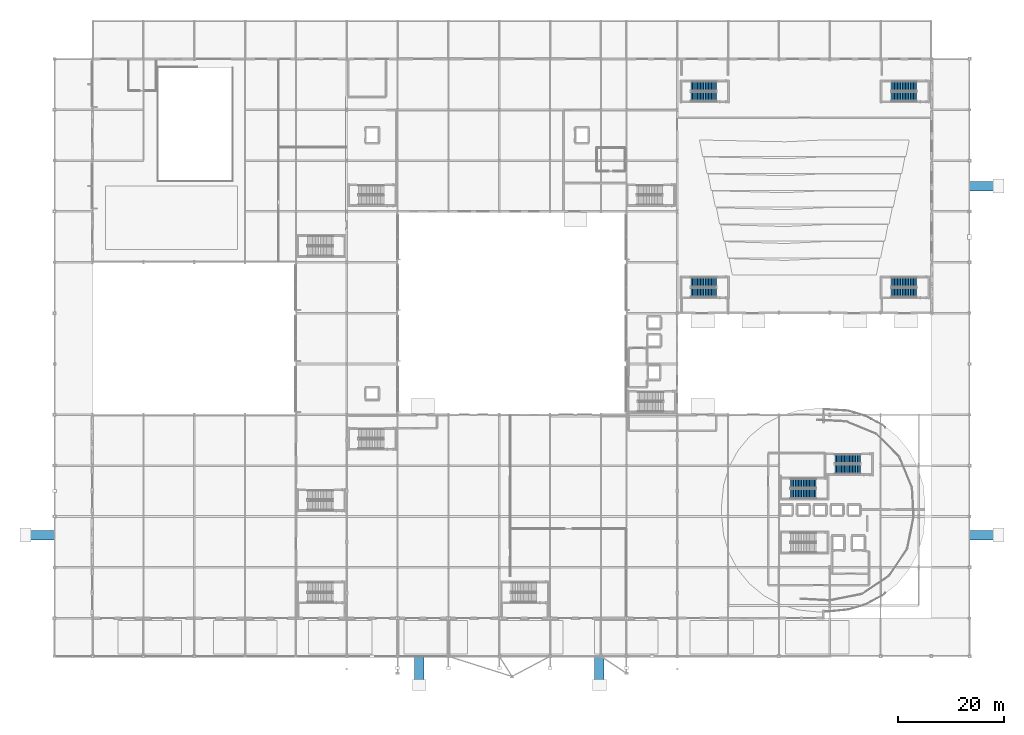
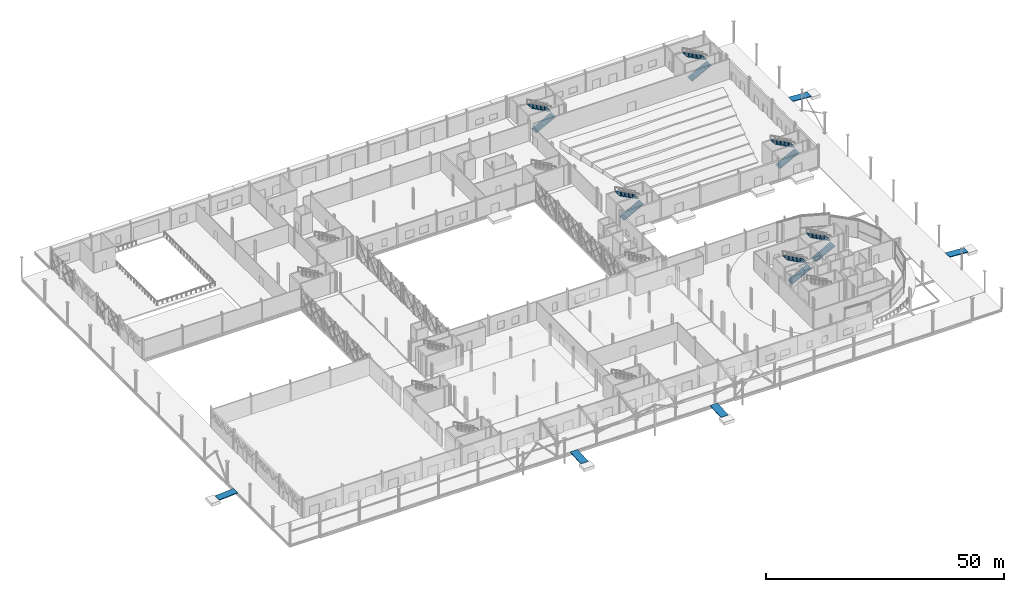
# One storey, part 62 of 84: 12 stair flights, 5 ramp flights, 11 elements without a shape of their own.
"""IFC4 building model written with IfcOpenShell, lengths in metres."""

import ifcopenshell
import ifcopenshell.guid

model = None  # the IFC model being written
_history = None  # IfcOwnerHistory: only IFC2X3 demands one
_inside = {}  # id of a spatial element -> (the spatial element, [elements in it])
_under = {}  # id of a project, library or spatial element -> (it, [spatial elements below it])
_declared = {}  # id of a project -> (the project, [libraries it declares])
_typed = {}  # id of a type object -> (the type object, [elements of that type])
_made_of = {}  # id of a material, layer set ... -> (it, [elements and type objects made of it])


def new_model(schema):
    """Start an empty IFC model of exactly this schema.

    Asked for "IFC4X3", IfcOpenShell would pick the latest addendum, in which some entities
    have other attributes; the version numbers below select the first issue.
    IFC2X3 requires an IfcOwnerHistory on every rooted entity: one is made here for all.
    """
    global model, _history
    if schema == "IFC4X3":
        model = ifcopenshell.file(schema_version=(4, 3, 0, 0))
    else:
        model = ifcopenshell.file(schema=schema)
    _inside.clear()
    _under.clear()
    _declared.clear()
    _typed.clear()
    _made_of.clear()
    _history = None
    if model.schema == "IFC2X3":
        org = make("IfcOrganization", Name="unknown")
        user = make(
            "IfcPersonAndOrganization",
            ThePerson=make("IfcPerson", FamilyName="unknown"),
            TheOrganization=org,
        )
        app = make(
            "IfcApplication",
            ApplicationDeveloper=org,
            Version="unknown",
            ApplicationFullName="unknown",
            ApplicationIdentifier="unknown",
        )
        _history = make(
            "IfcOwnerHistory",
            OwningUser=user,
            OwningApplication=app,
            ChangeAction="ADDED",
            CreationDate=0,
        )
    return model


def make(cls, **values):
    """One entity of the class cls with the attributes given. An attribute that is None is left unset."""
    return model.create_entity(
        cls, **{name: value for name, value in values.items() if value is not None}
    )


def rooted(cls, **values):
    """An entity with a GlobalId (a new one), such as an element, a storey or a relation."""
    return make(cls, GlobalId=ifcopenshell.guid.new(), OwnerHistory=_history, **values)


def si_unit(unit_type, name, prefix=None):
    """IfcSIUnit, for example si_unit("LENGTHUNIT", "METRE", prefix="MILLI")."""
    return make("IfcSIUnit", UnitType=unit_type, Prefix=prefix, Name=name)


def assignment(units):
    """IfcUnitAssignment: the units of a project."""
    return None if units is None else make("IfcUnitAssignment", Units=units)


def point(xyz):
    """IfcCartesianPoint."""
    return None if xyz is None else make("IfcCartesianPoint", Coordinates=xyz)


def direction(xyz):
    """IfcDirection."""
    return None if xyz is None else make("IfcDirection", DirectionRatios=xyz)


def frame(location, z_axis=None, x_axis=None):
    """IfcAxis2Placement3D, a coordinate frame: its origin and axes. An axis left out is left unset."""
    return make(
        "IfcAxis2Placement3D",
        Location=point(location),
        Axis=direction(z_axis),
        RefDirection=direction(x_axis),
    )


def origin():
    """The frame at (0, 0, 0) with its axes left unset."""
    return frame((0.0, 0.0, 0.0))


def place(relative_to, where):
    """IfcLocalPlacement: puts the frame where relative to a parent placement (None: the world)."""
    return make(
        "IfcLocalPlacement", PlacementRelTo=relative_to, RelativePlacement=where
    )


def context(
    kind, dimensions, precision=None, world=None, true_north=None, identifier=None
):
    """IfcGeometricRepresentationContext, for example the 3D "Model" context."""
    return make(
        "IfcGeometricRepresentationContext",
        ContextIdentifier=identifier,
        ContextType=kind,
        CoordinateSpaceDimension=dimensions,
        Precision=precision,
        WorldCoordinateSystem=world,
        TrueNorth=true_north,
    )


def subcontext(parent, identifier, kind, view, scale=None):
    """IfcGeometricRepresentationSubContext, for example "Body" below "Model"."""
    return make(
        "IfcGeometricRepresentationSubContext",
        ContextIdentifier=identifier,
        ContextType=kind,
        ParentContext=parent,
        TargetScale=scale,
        TargetView=view,
    )


def project(units=None, contexts=None):
    """IfcProject with its units and contexts."""
    return rooted(
        "IfcProject",
        Name="project",
        RepresentationContexts=contexts,
        UnitsInContext=assignment(units),
    )


def spatial(cls, under=None, at=None, **own):
    """A site, building, storey or space (cls), placed at a placement, below another one or the project."""
    s = rooted(cls, ObjectPlacement=at, **own)
    if under is not None:
        _under.setdefault(under.id(), (under, []))[1].append(s)
    return s


def polyline(points):
    """IfcPolyline through the points."""
    return make("IfcPolyline", Points=[point(p) for p in points])


def outline(outer, holes=None, kind="AREA"):
    """IfcArbitraryClosedProfileDef: a profile drawn as a closed curve; with holes, ...WithVoids."""
    if holes is None:
        return make("IfcArbitraryClosedProfileDef", ProfileType=kind, OuterCurve=outer)
    return make(
        "IfcArbitraryProfileDefWithVoids",
        ProfileType=kind,
        OuterCurve=outer,
        InnerCurves=holes,
    )


def extrude(swept, where, along, depth):
    """IfcExtrudedAreaSolid: the profile swept, set in the frame where, extruded along a direction by depth."""
    return make(
        "IfcExtrudedAreaSolid",
        SweptArea=swept,
        Position=where,
        ExtrudedDirection=direction(along),
        Depth=depth,
    )


def shape(context_of_items, identifier, shape_type, items):
    """IfcShapeRepresentation: the items that make up one representation, for example the "Body"."""
    return make(
        "IfcShapeRepresentation",
        ContextOfItems=context_of_items,
        RepresentationIdentifier=identifier,
        RepresentationType=shape_type,
        Items=items,
    )


def material(Name=None, Category=None):
    """IfcMaterial."""
    return make("IfcMaterial", Name=Name, Category=Category)


def layer(
    of_material, thickness, ventilated=None, Name=None, Category=None, Priority=None
):
    """IfcMaterialLayer: one layer of a wall or slab, of a material (None: an air gap)."""
    return make(
        "IfcMaterialLayer",
        Material=of_material,
        LayerThickness=thickness,
        IsVentilated=ventilated,
        Name=Name,
        Category=Category,
        Priority=Priority,
    )


def layer_set(layers, Name=None):
    """IfcMaterialLayerSet."""
    return make("IfcMaterialLayerSet", MaterialLayers=layers, LayerSetName=Name)


def made_of(thing, what):
    """Note that an element or type object is made of a material, layer set ...; save() writes the relation."""
    if what is not None:
        _made_of.setdefault(what.id(), (what, []))[1].append(thing)
    return thing


def type_object(cls, material=None, **own):
    """A type object (cls), such as IfcWallType, which elements share."""
    return made_of(rooted(cls, **own), material)


def element(
    cls,
    number,
    at=None,
    inside=None,
    cuts=None,
    type_object=None,
    material=None,
    context=None,
    identifier="Body",
    shape_type=None,
    held_by="IfcProductDefinitionShape",
    body=None,
    shapes=None,
    **own,
):
    """One element of the class cls, such as IfcWall. Its Tag is "e" and its number.

    at: its placement. inside: the storey or other place that contains it. cuts: it is an
    opening in that element (IfcRelVoidsElement). A single representation is given by context,
    identifier, shape_type and body (its items); several are given by shapes. held_by: the class
    of the entity that holds the representations. save() writes the other relations.
    """
    e = rooted(cls, Tag="e%d" % number, ObjectPlacement=at, **own)
    if body is not None:
        shapes = [shape(context, identifier, shape_type, body)]
    if shapes is not None:
        e.Representation = make(held_by, Representations=shapes)
    if inside is not None:
        _inside.setdefault(inside.id(), (inside, []))[1].append(e)
    if cuts is not None:
        rooted(
            "IfcRelVoidsElement", RelatingBuildingElement=cuts, RelatedOpeningElement=e
        )
    if type_object is not None:
        _typed.setdefault(type_object.id(), (type_object, []))[1].append(e)
    return made_of(e, material)


def aggregate(whole, parts):
    """IfcRelAggregates: a whole, such as a stair, and the parts it consists of."""
    return rooted("IfcRelAggregates", RelatingObject=whole, RelatedObjects=parts)


def save(model, path):
    """Write the relations noted so far, then the file.

    IfcRelAggregates (storeys below a building ...), IfcRelContainedInSpatialStructure (elements
    in a storey), IfcRelDefinesByType, IfcRelAssociatesMaterial and IfcRelDeclares: one each for
    every whole, place, type object, material and project.
    """
    for whole, parts in _under.values():
        aggregate(whole, parts)
    for where, things in _inside.values():
        rooted(
            "IfcRelContainedInSpatialStructure",
            RelatedElements=things,
            RelatingStructure=where,
        )
    for kind, things in _typed.values():
        rooted("IfcRelDefinesByType", RelatedObjects=things, RelatingType=kind)
    for what, things in _made_of.values():
        rooted("IfcRelAssociatesMaterial", RelatedObjects=things, RelatingMaterial=what)
    for by, libraries in _declared.values():
        rooted("IfcRelDeclares", RelatingContext=by, RelatedDefinitions=libraries)
    model.write(path)


model = new_model("IFC4")

# Units and contexts
model_context = context("Model", 3, precision=1e-05, world=origin(), true_north=direction((0.0, 1.0)))
body_context = subcontext(model_context, "Body", "Model", "MODEL_VIEW")
ifc_project = project(units=[si_unit("LENGTHUNIT", "METRE"), si_unit("AREAUNIT", "SQUARE_METRE"), si_unit("VOLUMEUNIT", "CUBIC_METRE"), si_unit("PLANEANGLEUNIT", "RADIAN"), si_unit("MASSUNIT", "GRAM", prefix="KILO")], contexts=[model_context])

# Site, building, storey
site_placement = place(None, origin())
site = spatial("IfcSite", under=ifc_project, at=site_placement, CompositionType="ELEMENT")
building_placement = place(site_placement, origin())
building = spatial("IfcBuilding", under=site, at=building_placement, Name="Zevrakil Square Congress Hotel", CompositionType="ELEMENT")
storey_placement = place(building_placement, origin())
storey = spatial("IfcBuildingStorey", under=building, at=storey_placement, Name="L01", CompositionType="ELEMENT", Elevation=0.0)

# Stair, stair flights
ifc_material_1 = material(Name="Concrete C35/45", Category="concrete")
stair_type = type_object("IfcStairType", Name="STR-DOGLEG-180", PredefinedType="HALF_TURN_STAIR", material=ifc_material_1)
stair_1_placement = place(storey_placement, origin())
stair_1 = element("IfcStair", 1, at=stair_1_placement, inside=storey, type_object=stair_type, Name="L01 Protected exit stair ST02", PredefinedType="HALF_TURN_STAIR")
ifc_material_2 = material(Name="Concrete C35/45", Category="concrete")
ifc_layer_1 = layer(ifc_material_2, 0.159912109375)
ifc_layer_set_1 = layer_set([ifc_layer_1], Name="Concrete C35/45")
stair_flight_type = type_object("IfcStairFlightType", Name="SFL-STRAIGHT-180", PredefinedType="STRAIGHT", material=ifc_layer_set_1)
stair_flight_1_placement = place(storey_placement, frame((139.0, 30.699951171875, 0.0), z_axis=(0.0, 0.0, 1.0), x_axis=(1.0, 0.0, 0.0)))
stair_flight_1 = element("IfcStairFlight", 2, at=stair_flight_1_placement, type_object=stair_flight_type, Name="ST02 flight 1", NumberOfRisers=17, NumberOfTreads=16, PredefinedType="STRAIGHT", RiserHeight=0.158823529, TreadLength=0.3, context=body_context, shape_type="SweptSolid", body=[
    extrude(outline(polyline([(0.0, 0.0), (0.0, 0.158935546875), (0.300048828125, 0.158935546875), (0.300048828125, 0.317626953125), (0.60009765625, 0.317626953125), (0.60009765625, 0.4765625), (0.89990234375, 0.4765625), (0.89990234375, 0.63525390625), (1.199951171875, 0.63525390625), (1.199951171875, 0.794189453125), (1.5, 0.794189453125), (1.5, 0.952880859375), (1.800048828125, 0.952880859375), (1.800048828125, 1.11181640625), (2.10009765625, 1.11181640625), (2.10009765625, 1.2705078125), (2.39990234375, 1.2705078125), (2.39990234375, 1.429443359375), (2.699951171875, 1.429443359375), (2.699951171875, 1.588134765625), (3.0, 1.588134765625), (3.0, 1.7470703125), (3.300048828125, 1.7470703125), (3.300048828125, 1.90576171875), (3.60009765625, 1.90576171875), (3.60009765625, 2.064697265625), (3.89990234375, 2.064697265625), (3.89990234375, 2.2236328125), (4.199951171875, 2.2236328125), (4.199951171875, 2.38232421875), (4.5, 2.38232421875), (4.5, 2.541259765625), (4.800048828125, 2.541259765625), (4.800048828125, 2.699951171875), (4.800048828125, 2.37158203125), (0.3203125, 0.0), (0.0, 0.0)])), frame((0.0, 0.89990234375, 0.0), z_axis=(0.0, -1.0, 0.0), x_axis=(1.0, 0.0, 0.0)), (0.0, 0.0, 1.0), 1.800048828125),
])
stair_flight_2_placement = place(storey_placement, frame((143.800048828125, 32.64990234375, 2.699951171875), z_axis=(0.0, 0.0, 1.0), x_axis=(-1.0, 0.0, 0.0)))
stair_flight_2 = element("IfcStairFlight", 3, at=stair_flight_2_placement, type_object=stair_flight_type, Name="ST02 flight 2", NumberOfRisers=17, NumberOfTreads=16, PredefinedType="STRAIGHT", RiserHeight=0.158823529, TreadLength=0.3, context=body_context, shape_type="SweptSolid", body=[
    extrude(outline(polyline([(0.0, 0.0), (0.0, 0.158935546875), (0.300048828125, 0.158935546875), (0.300048828125, 0.317626953125), (0.60009765625, 0.317626953125), (0.60009765625, 0.4765625), (0.89990234375, 0.4765625), (0.89990234375, 0.63525390625), (1.199951171875, 0.63525390625), (1.199951171875, 0.794189453125), (1.5, 0.794189453125), (1.5, 0.952880859375), (1.800048828125, 0.952880859375), (1.800048828125, 1.11181640625), (2.10009765625, 1.11181640625), (2.10009765625, 1.2705078125), (2.39990234375, 1.2705078125), (2.39990234375, 1.429443359375), (2.699951171875, 1.429443359375), (2.699951171875, 1.588134765625), (3.0, 1.588134765625), (3.0, 1.7470703125), (3.300048828125, 1.7470703125), (3.300048828125, 1.90576171875), (3.60009765625, 1.90576171875), (3.60009765625, 2.064697265625), (3.89990234375, 2.064697265625), (3.89990234375, 2.2236328125), (4.199951171875, 2.2236328125), (4.199951171875, 2.38232421875), (4.5, 2.38232421875), (4.5, 2.541259765625), (4.800048828125, 2.541259765625), (4.800048828125, 2.699951171875), (4.800048828125, 2.37158203125), (0.3203125, 0.0), (0.0, 0.0)])), frame((0.0, 0.89990234375, 0.0), z_axis=(0.0, -1.0, 0.0), x_axis=(1.0, 0.0, 0.0)), (0.0, 0.0, 1.0), 1.800048828125),
])
aggregate(stair_1, [stair_flight_1, stair_flight_2])

stair_2_placement = place(storey_placement, origin())
stair_2 = element("IfcStair", 4, at=stair_2_placement, inside=storey, type_object=stair_type, Name="L01 Protected exit stair ST03", PredefinedType="HALF_TURN_STAIR")
stair_flight_3_placement = place(storey_placement, frame((147.39990234375, 35.300048828125, 0.0), z_axis=(0.0, 0.0, 1.0), x_axis=(1.0, 0.0, 0.0)))
stair_flight_3 = element("IfcStairFlight", 5, at=stair_flight_3_placement, type_object=stair_flight_type, Name="ST03 flight 1", NumberOfRisers=17, NumberOfTreads=16, PredefinedType="STRAIGHT", RiserHeight=0.158823529, TreadLength=0.3, context=body_context, shape_type="SweptSolid", body=[
    extrude(outline(polyline([(0.0, 0.0), (0.0, 0.158935546875), (0.300048828125, 0.158935546875), (0.300048828125, 0.317626953125), (0.60009765625, 0.317626953125), (0.60009765625, 0.4765625), (0.89990234375, 0.4765625), (0.89990234375, 0.63525390625), (1.199951171875, 0.63525390625), (1.199951171875, 0.794189453125), (1.5, 0.794189453125), (1.5, 0.952880859375), (1.800048828125, 0.952880859375), (1.800048828125, 1.11181640625), (2.10009765625, 1.11181640625), (2.10009765625, 1.2705078125), (2.39990234375, 1.2705078125), (2.39990234375, 1.429443359375), (2.699951171875, 1.429443359375), (2.699951171875, 1.588134765625), (3.0, 1.588134765625), (3.0, 1.7470703125), (3.300048828125, 1.7470703125), (3.300048828125, 1.90576171875), (3.60009765625, 1.90576171875), (3.60009765625, 2.064697265625), (3.89990234375, 2.064697265625), (3.89990234375, 2.2236328125), (4.199951171875, 2.2236328125), (4.199951171875, 2.38232421875), (4.5, 2.38232421875), (4.5, 2.541259765625), (4.800048828125, 2.541259765625), (4.800048828125, 2.699951171875), (4.800048828125, 2.37158203125), (0.3203125, 0.0), (0.0, 0.0)])), frame((0.0, 0.89990234375, 0.0), z_axis=(0.0, -1.0, 0.0), x_axis=(1.0, 0.0, 0.0)), (0.0, 0.0, 1.0), 1.800048828125),
])
stair_flight_4_placement = place(storey_placement, frame((152.199951171875, 37.25, 2.699951171875), z_axis=(0.0, 0.0, 1.0), x_axis=(-1.0, 0.0, 0.0)))
stair_flight_4 = element("IfcStairFlight", 6, at=stair_flight_4_placement, type_object=stair_flight_type, Name="ST03 flight 2", NumberOfRisers=17, NumberOfTreads=16, PredefinedType="STRAIGHT", RiserHeight=0.158823529, TreadLength=0.3, context=body_context, shape_type="SweptSolid", body=[
    extrude(outline(polyline([(0.0, 0.0), (0.0, 0.158935546875), (0.300048828125, 0.158935546875), (0.300048828125, 0.317626953125), (0.60009765625, 0.317626953125), (0.60009765625, 0.4765625), (0.89990234375, 0.4765625), (0.89990234375, 0.63525390625), (1.199951171875, 0.63525390625), (1.199951171875, 0.794189453125), (1.5, 0.794189453125), (1.5, 0.952880859375), (1.800048828125, 0.952880859375), (1.800048828125, 1.11181640625), (2.10009765625, 1.11181640625), (2.10009765625, 1.2705078125), (2.39990234375, 1.2705078125), (2.39990234375, 1.429443359375), (2.699951171875, 1.429443359375), (2.699951171875, 1.588134765625), (3.0, 1.588134765625), (3.0, 1.7470703125), (3.300048828125, 1.7470703125), (3.300048828125, 1.90576171875), (3.60009765625, 1.90576171875), (3.60009765625, 2.064697265625), (3.89990234375, 2.064697265625), (3.89990234375, 2.2236328125), (4.199951171875, 2.2236328125), (4.199951171875, 2.38232421875), (4.5, 2.38232421875), (4.5, 2.541259765625), (4.800048828125, 2.541259765625), (4.800048828125, 2.699951171875), (4.800048828125, 2.37158203125), (0.3203125, 0.0), (0.0, 0.0)])), frame((0.0, 0.89990234375, 0.0), z_axis=(0.0, -1.0, 0.0), x_axis=(1.0, 0.0, 0.0)), (0.0, 0.0, 1.0), 1.800048828125),
])
aggregate(stair_2, [stair_flight_3, stair_flight_4])

stair_3_placement = place(storey_placement, origin())
stair_3 = element("IfcStair", 7, at=stair_3_placement, inside=storey, type_object=stair_type, Name="L01 Protected exit stair ST08", PredefinedType="HALF_TURN_STAIR")
stair_flight_5_placement = place(storey_placement, frame((120.199951171875, 68.699951171875, 0.0), z_axis=(0.0, 0.0, 1.0), x_axis=(1.0, 0.0, 0.0)))
stair_flight_5 = element("IfcStairFlight", 8, at=stair_flight_5_placement, type_object=stair_flight_type, Name="ST08 flight 1", NumberOfRisers=17, NumberOfTreads=16, PredefinedType="STRAIGHT", RiserHeight=0.158823529, TreadLength=0.3, context=body_context, shape_type="SweptSolid", body=[
    extrude(outline(polyline([(0.0, 0.0), (0.0, 0.158935546875), (0.300048828125, 0.158935546875), (0.300048828125, 0.317626953125), (0.60009765625, 0.317626953125), (0.60009765625, 0.4765625), (0.89990234375, 0.4765625), (0.89990234375, 0.63525390625), (1.199951171875, 0.63525390625), (1.199951171875, 0.794189453125), (1.5, 0.794189453125), (1.5, 0.952880859375), (1.800048828125, 0.952880859375), (1.800048828125, 1.11181640625), (2.10009765625, 1.11181640625), (2.10009765625, 1.2705078125), (2.39990234375, 1.2705078125), (2.39990234375, 1.429443359375), (2.699951171875, 1.429443359375), (2.699951171875, 1.588134765625), (3.0, 1.588134765625), (3.0, 1.7470703125), (3.300048828125, 1.7470703125), (3.300048828125, 1.90576171875), (3.60009765625, 1.90576171875), (3.60009765625, 2.064697265625), (3.89990234375, 2.064697265625), (3.89990234375, 2.2236328125), (4.199951171875, 2.2236328125), (4.199951171875, 2.38232421875), (4.5, 2.38232421875), (4.5, 2.541259765625), (4.800048828125, 2.541259765625), (4.800048828125, 2.699951171875), (4.800048828125, 2.37158203125), (0.3203125, 0.0), (0.0, 0.0)])), frame((0.0, 0.89990234375, 0.0), z_axis=(0.0, -1.0, 0.0), x_axis=(1.0, 0.0, 0.0)), (0.0, 0.0, 1.0), 1.800048828125),
])
stair_flight_6_placement = place(storey_placement, frame((125.0, 70.64990234375, 2.699951171875), z_axis=(0.0, 0.0, 1.0), x_axis=(-1.0, 0.0, 0.0)))
stair_flight_6 = element("IfcStairFlight", 9, at=stair_flight_6_placement, type_object=stair_flight_type, Name="ST08 flight 2", NumberOfRisers=17, NumberOfTreads=16, PredefinedType="STRAIGHT", RiserHeight=0.158823529, TreadLength=0.3, context=body_context, shape_type="SweptSolid", body=[
    extrude(outline(polyline([(0.0, 0.0), (0.0, 0.158935546875), (0.300048828125, 0.158935546875), (0.300048828125, 0.317626953125), (0.60009765625, 0.317626953125), (0.60009765625, 0.4765625), (0.89990234375, 0.4765625), (0.89990234375, 0.63525390625), (1.199951171875, 0.63525390625), (1.199951171875, 0.794189453125), (1.5, 0.794189453125), (1.5, 0.952880859375), (1.800048828125, 0.952880859375), (1.800048828125, 1.11181640625), (2.10009765625, 1.11181640625), (2.10009765625, 1.2705078125), (2.39990234375, 1.2705078125), (2.39990234375, 1.429443359375), (2.699951171875, 1.429443359375), (2.699951171875, 1.588134765625), (3.0, 1.588134765625), (3.0, 1.7470703125), (3.300048828125, 1.7470703125), (3.300048828125, 1.90576171875), (3.60009765625, 1.90576171875), (3.60009765625, 2.064697265625), (3.89990234375, 2.064697265625), (3.89990234375, 2.2236328125), (4.199951171875, 2.2236328125), (4.199951171875, 2.38232421875), (4.5, 2.38232421875), (4.5, 2.541259765625), (4.800048828125, 2.541259765625), (4.800048828125, 2.699951171875), (4.800048828125, 2.37158203125), (0.3203125, 0.0), (0.0, 0.0)])), frame((0.0, 0.89990234375, 0.0), z_axis=(0.0, -1.0, 0.0), x_axis=(1.0, 0.0, 0.0)), (0.0, 0.0, 1.0), 1.800048828125),
])
aggregate(stair_3, [stair_flight_5, stair_flight_6])

stair_4_placement = place(storey_placement, origin())
stair_4 = element("IfcStair", 10, at=stair_4_placement, inside=storey, type_object=stair_type, Name="L01 Protected exit stair ST09", PredefinedType="HALF_TURN_STAIR")
stair_flight_7_placement = place(storey_placement, frame((158.0, 68.699951171875, 0.0), z_axis=(0.0, 0.0, 1.0), x_axis=(1.0, 0.0, 0.0)))
stair_flight_7 = element("IfcStairFlight", 11, at=stair_flight_7_placement, type_object=stair_flight_type, Name="ST09 flight 1", NumberOfRisers=17, NumberOfTreads=16, PredefinedType="STRAIGHT", RiserHeight=0.158823529, TreadLength=0.3, context=body_context, shape_type="SweptSolid", body=[
    extrude(outline(polyline([(0.0, 0.0), (0.0, 0.158935546875), (0.300048828125, 0.158935546875), (0.300048828125, 0.317626953125), (0.60009765625, 0.317626953125), (0.60009765625, 0.4765625), (0.89990234375, 0.4765625), (0.89990234375, 0.63525390625), (1.199951171875, 0.63525390625), (1.199951171875, 0.794189453125), (1.5, 0.794189453125), (1.5, 0.952880859375), (1.800048828125, 0.952880859375), (1.800048828125, 1.11181640625), (2.10009765625, 1.11181640625), (2.10009765625, 1.2705078125), (2.39990234375, 1.2705078125), (2.39990234375, 1.429443359375), (2.699951171875, 1.429443359375), (2.699951171875, 1.588134765625), (3.0, 1.588134765625), (3.0, 1.7470703125), (3.300048828125, 1.7470703125), (3.300048828125, 1.90576171875), (3.60009765625, 1.90576171875), (3.60009765625, 2.064697265625), (3.89990234375, 2.064697265625), (3.89990234375, 2.2236328125), (4.199951171875, 2.2236328125), (4.199951171875, 2.38232421875), (4.5, 2.38232421875), (4.5, 2.541259765625), (4.800048828125, 2.541259765625), (4.800048828125, 2.699951171875), (4.800048828125, 2.37158203125), (0.3203125, 0.0), (0.0, 0.0)])), frame((0.0, 0.89990234375, 0.0), z_axis=(0.0, -1.0, 0.0), x_axis=(1.0, 0.0, 0.0)), (0.0, 0.0, 1.0), 1.800048828125),
])
stair_flight_8_placement = place(storey_placement, frame((162.800048828125, 70.64990234375, 2.699951171875), z_axis=(0.0, 0.0, 1.0), x_axis=(-1.0, 0.0, 0.0)))
stair_flight_8 = element("IfcStairFlight", 12, at=stair_flight_8_placement, type_object=stair_flight_type, Name="ST09 flight 2", NumberOfRisers=17, NumberOfTreads=16, PredefinedType="STRAIGHT", RiserHeight=0.158823529, TreadLength=0.3, context=body_context, shape_type="SweptSolid", body=[
    extrude(outline(polyline([(0.0, 0.0), (0.0, 0.158935546875), (0.300048828125, 0.158935546875), (0.300048828125, 0.317626953125), (0.60009765625, 0.317626953125), (0.60009765625, 0.4765625), (0.89990234375, 0.4765625), (0.89990234375, 0.63525390625), (1.199951171875, 0.63525390625), (1.199951171875, 0.794189453125), (1.5, 0.794189453125), (1.5, 0.952880859375), (1.800048828125, 0.952880859375), (1.800048828125, 1.11181640625), (2.10009765625, 1.11181640625), (2.10009765625, 1.2705078125), (2.39990234375, 1.2705078125), (2.39990234375, 1.429443359375), (2.699951171875, 1.429443359375), (2.699951171875, 1.588134765625), (3.0, 1.588134765625), (3.0, 1.7470703125), (3.300048828125, 1.7470703125), (3.300048828125, 1.90576171875), (3.60009765625, 1.90576171875), (3.60009765625, 2.064697265625), (3.89990234375, 2.064697265625), (3.89990234375, 2.2236328125), (4.199951171875, 2.2236328125), (4.199951171875, 2.38232421875), (4.5, 2.38232421875), (4.5, 2.541259765625), (4.800048828125, 2.541259765625), (4.800048828125, 2.699951171875), (4.800048828125, 2.37158203125), (0.3203125, 0.0), (0.0, 0.0)])), frame((0.0, 0.89990234375, 0.0), z_axis=(0.0, -1.0, 0.0), x_axis=(1.0, 0.0, 0.0)), (0.0, 0.0, 1.0), 1.800048828125),
])
aggregate(stair_4, [stair_flight_7, stair_flight_8])

stair_5_placement = place(storey_placement, origin())
stair_5 = element("IfcStair", 13, at=stair_5_placement, inside=storey, type_object=stair_type, Name="L01 Protected exit stair ST10", PredefinedType="HALF_TURN_STAIR")
stair_flight_9_placement = place(storey_placement, frame((158.0, 105.699951171875, 0.0), z_axis=(0.0, 0.0, 1.0), x_axis=(1.0, 0.0, 0.0)))
stair_flight_9 = element("IfcStairFlight", 14, at=stair_flight_9_placement, type_object=stair_flight_type, Name="ST10 flight 1", NumberOfRisers=17, NumberOfTreads=16, PredefinedType="STRAIGHT", RiserHeight=0.158823529, TreadLength=0.3, context=body_context, shape_type="SweptSolid", body=[
    extrude(outline(polyline([(0.0, 0.0), (0.0, 0.158935546875), (0.300048828125, 0.158935546875), (0.300048828125, 0.317626953125), (0.60009765625, 0.317626953125), (0.60009765625, 0.4765625), (0.89990234375, 0.4765625), (0.89990234375, 0.63525390625), (1.199951171875, 0.63525390625), (1.199951171875, 0.794189453125), (1.5, 0.794189453125), (1.5, 0.952880859375), (1.800048828125, 0.952880859375), (1.800048828125, 1.11181640625), (2.10009765625, 1.11181640625), (2.10009765625, 1.2705078125), (2.39990234375, 1.2705078125), (2.39990234375, 1.429443359375), (2.699951171875, 1.429443359375), (2.699951171875, 1.588134765625), (3.0, 1.588134765625), (3.0, 1.7470703125), (3.300048828125, 1.7470703125), (3.300048828125, 1.90576171875), (3.60009765625, 1.90576171875), (3.60009765625, 2.064697265625), (3.89990234375, 2.064697265625), (3.89990234375, 2.2236328125), (4.199951171875, 2.2236328125), (4.199951171875, 2.38232421875), (4.5, 2.38232421875), (4.5, 2.541259765625), (4.800048828125, 2.541259765625), (4.800048828125, 2.699951171875), (4.800048828125, 2.37158203125), (0.3203125, 0.0), (0.0, 0.0)])), frame((0.0, 0.89990234375, 0.0), z_axis=(0.0, -1.0, 0.0), x_axis=(1.0, 0.0, 0.0)), (0.0, 0.0, 1.0), 1.800048828125),
])
stair_flight_10_placement = place(storey_placement, frame((162.800048828125, 107.64990234375, 2.699951171875), z_axis=(0.0, 0.0, 1.0), x_axis=(-1.0, 0.0, 0.0)))
stair_flight_10 = element("IfcStairFlight", 15, at=stair_flight_10_placement, type_object=stair_flight_type, Name="ST10 flight 2", NumberOfRisers=17, NumberOfTreads=16, PredefinedType="STRAIGHT", RiserHeight=0.158823529, TreadLength=0.3, context=body_context, shape_type="SweptSolid", body=[
    extrude(outline(polyline([(0.0, 0.0), (0.0, 0.158935546875), (0.300048828125, 0.158935546875), (0.300048828125, 0.317626953125), (0.60009765625, 0.317626953125), (0.60009765625, 0.4765625), (0.89990234375, 0.4765625), (0.89990234375, 0.63525390625), (1.199951171875, 0.63525390625), (1.199951171875, 0.794189453125), (1.5, 0.794189453125), (1.5, 0.952880859375), (1.800048828125, 0.952880859375), (1.800048828125, 1.11181640625), (2.10009765625, 1.11181640625), (2.10009765625, 1.2705078125), (2.39990234375, 1.2705078125), (2.39990234375, 1.429443359375), (2.699951171875, 1.429443359375), (2.699951171875, 1.588134765625), (3.0, 1.588134765625), (3.0, 1.7470703125), (3.300048828125, 1.7470703125), (3.300048828125, 1.90576171875), (3.60009765625, 1.90576171875), (3.60009765625, 2.064697265625), (3.89990234375, 2.064697265625), (3.89990234375, 2.2236328125), (4.199951171875, 2.2236328125), (4.199951171875, 2.38232421875), (4.5, 2.38232421875), (4.5, 2.541259765625), (4.800048828125, 2.541259765625), (4.800048828125, 2.699951171875), (4.800048828125, 2.37158203125), (0.3203125, 0.0), (0.0, 0.0)])), frame((0.0, 0.89990234375, 0.0), z_axis=(0.0, -1.0, 0.0), x_axis=(1.0, 0.0, 0.0)), (0.0, 0.0, 1.0), 1.800048828125),
])
aggregate(stair_5, [stair_flight_9, stair_flight_10])

stair_6_placement = place(storey_placement, origin())
stair_6 = element("IfcStair", 16, at=stair_6_placement, inside=storey, type_object=stair_type, Name="L01 Protected exit stair ST11", PredefinedType="HALF_TURN_STAIR")
stair_flight_11_placement = place(storey_placement, frame((120.199951171875, 105.699951171875, 0.0), z_axis=(0.0, 0.0, 1.0), x_axis=(1.0, 0.0, 0.0)))
stair_flight_11 = element("IfcStairFlight", 17, at=stair_flight_11_placement, type_object=stair_flight_type, Name="ST11 flight 1", NumberOfRisers=17, NumberOfTreads=16, PredefinedType="STRAIGHT", RiserHeight=0.158823529, TreadLength=0.3, context=body_context, shape_type="SweptSolid", body=[
    extrude(outline(polyline([(0.0, 0.0), (0.0, 0.158935546875), (0.300048828125, 0.158935546875), (0.300048828125, 0.317626953125), (0.60009765625, 0.317626953125), (0.60009765625, 0.4765625), (0.89990234375, 0.4765625), (0.89990234375, 0.63525390625), (1.199951171875, 0.63525390625), (1.199951171875, 0.794189453125), (1.5, 0.794189453125), (1.5, 0.952880859375), (1.800048828125, 0.952880859375), (1.800048828125, 1.11181640625), (2.10009765625, 1.11181640625), (2.10009765625, 1.2705078125), (2.39990234375, 1.2705078125), (2.39990234375, 1.429443359375), (2.699951171875, 1.429443359375), (2.699951171875, 1.588134765625), (3.0, 1.588134765625), (3.0, 1.7470703125), (3.300048828125, 1.7470703125), (3.300048828125, 1.90576171875), (3.60009765625, 1.90576171875), (3.60009765625, 2.064697265625), (3.89990234375, 2.064697265625), (3.89990234375, 2.2236328125), (4.199951171875, 2.2236328125), (4.199951171875, 2.38232421875), (4.5, 2.38232421875), (4.5, 2.541259765625), (4.800048828125, 2.541259765625), (4.800048828125, 2.699951171875), (4.800048828125, 2.37158203125), (0.3203125, 0.0), (0.0, 0.0)])), frame((0.0, 0.89990234375, 0.0), z_axis=(0.0, -1.0, 0.0), x_axis=(1.0, 0.0, 0.0)), (0.0, 0.0, 1.0), 1.800048828125),
])
stair_flight_12_placement = place(storey_placement, frame((125.0, 107.64990234375, 2.699951171875), z_axis=(0.0, 0.0, 1.0), x_axis=(-1.0, 0.0, 0.0)))
stair_flight_12 = element("IfcStairFlight", 18, at=stair_flight_12_placement, type_object=stair_flight_type, Name="ST11 flight 2", NumberOfRisers=17, NumberOfTreads=16, PredefinedType="STRAIGHT", RiserHeight=0.158823529, TreadLength=0.3, context=body_context, shape_type="SweptSolid", body=[
    extrude(outline(polyline([(0.0, 0.0), (0.0, 0.158935546875), (0.300048828125, 0.158935546875), (0.300048828125, 0.317626953125), (0.60009765625, 0.317626953125), (0.60009765625, 0.4765625), (0.89990234375, 0.4765625), (0.89990234375, 0.63525390625), (1.199951171875, 0.63525390625), (1.199951171875, 0.794189453125), (1.5, 0.794189453125), (1.5, 0.952880859375), (1.800048828125, 0.952880859375), (1.800048828125, 1.11181640625), (2.10009765625, 1.11181640625), (2.10009765625, 1.2705078125), (2.39990234375, 1.2705078125), (2.39990234375, 1.429443359375), (2.699951171875, 1.429443359375), (2.699951171875, 1.588134765625), (3.0, 1.588134765625), (3.0, 1.7470703125), (3.300048828125, 1.7470703125), (3.300048828125, 1.90576171875), (3.60009765625, 1.90576171875), (3.60009765625, 2.064697265625), (3.89990234375, 2.064697265625), (3.89990234375, 2.2236328125), (4.199951171875, 2.2236328125), (4.199951171875, 2.38232421875), (4.5, 2.38232421875), (4.5, 2.541259765625), (4.800048828125, 2.541259765625), (4.800048828125, 2.699951171875), (4.800048828125, 2.37158203125), (0.3203125, 0.0), (0.0, 0.0)])), frame((0.0, 0.89990234375, 0.0), z_axis=(0.0, -1.0, 0.0), x_axis=(1.0, 0.0, 0.0)), (0.0, 0.0, 1.0), 1.800048828125),
])
aggregate(stair_6, [stair_flight_11, stair_flight_12])

# Ramp, ramp flight
ifc_material_3 = material(Name="Concrete C35/45", Category="concrete")
ramp_type = type_object("IfcRampType", Name="RMP-PED-180", PredefinedType="STRAIGHT_RUN_RAMP", material=ifc_material_3)
ramp_1_placement = place(storey_placement, origin())
ramp_1 = element("IfcRamp", 19, at=ramp_1_placement, inside=storey, type_object=ramp_type, Name="Accessible pedestrian entrance ramp PR-01", PredefinedType="STRAIGHT_RUN_RAMP")
ifc_material_4 = material(Name="Concrete C35/45", Category="concrete")
ifc_layer_2 = layer(ifc_material_4, 0.179931640625)
ifc_layer_set_2 = layer_set([ifc_layer_2], Name="Concrete C35/45")
ramp_flight_type = type_object("IfcRampFlightType", Name="RFL-PED-180", PredefinedType="STRAIGHT", material=ifc_layer_set_2)
ramp_flight_1_placement = place(storey_placement, frame((68.89990234375, -4.52490234375, -0.300048828125), z_axis=(1.0, 0.0, 0.0), x_axis=(0.0, 1.0, 0.0)))
ramp_flight_1 = element("IfcRampFlight", 20, at=ramp_flight_1_placement, type_object=ramp_flight_type, Name="Accessible pedestrian ramp flight PR-01", PredefinedType="STRAIGHT", context=body_context, shape_type="SweptSolid", body=[
    extrude(outline(polyline([(0.0, 0.0), (4.550048828125, 0.300048828125), (4.550048828125, 0.1201171875), (0.0, -0.179931640625), (0.0, 0.0)])), frame((0.0, 0.0, -0.89990234375), z_axis=(0.0, 0.0, 1.0), x_axis=(1.0, 0.0, 0.0)), (0.0, 0.0, 1.0), 1.800048828125),
])
aggregate(ramp_1, [ramp_flight_1])

ramp_2_placement = place(storey_placement, origin())
ramp_2 = element("IfcRamp", 21, at=ramp_2_placement, inside=storey, type_object=ramp_type, Name="Accessible pedestrian entrance ramp PR-02", PredefinedType="STRAIGHT_RUN_RAMP")
ramp_flight_2_placement = place(storey_placement, frame((102.89990234375, -4.52490234375, -0.300048828125), z_axis=(1.0, 0.0, 0.0), x_axis=(0.0, 1.0, 0.0)))
ramp_flight_2 = element("IfcRampFlight", 22, at=ramp_flight_2_placement, type_object=ramp_flight_type, Name="Accessible pedestrian ramp flight PR-02", PredefinedType="STRAIGHT", context=body_context, shape_type="SweptSolid", body=[
    extrude(outline(polyline([(0.0, 0.0), (4.550048828125, 0.300048828125), (4.550048828125, 0.1201171875), (0.0, -0.179931640625), (0.0, 0.0)])), frame((0.0, 0.0, -0.89990234375), z_axis=(0.0, 0.0, 1.0), x_axis=(1.0, 0.0, 0.0)), (0.0, 0.0, 1.0), 1.800048828125),
])
aggregate(ramp_2, [ramp_flight_2])

ramp_3_placement = place(storey_placement, origin())
ramp_3 = element("IfcRamp", 23, at=ramp_3_placement, inside=storey, type_object=ramp_type, Name="Accessible pedestrian entrance ramp PR-03", PredefinedType="STRAIGHT_RUN_RAMP")
ramp_flight_3_placement = place(storey_placement, frame((-4.52490234375, 22.89990234375, -0.300048828125), z_axis=(0.0, -1.0, 0.0), x_axis=(1.0, 0.0, 0.0)))
ramp_flight_3 = element("IfcRampFlight", 24, at=ramp_flight_3_placement, type_object=ramp_flight_type, Name="Accessible pedestrian ramp flight PR-03", PredefinedType="STRAIGHT", context=body_context, shape_type="SweptSolid", body=[
    extrude(outline(polyline([(0.0, 0.0), (4.550048828125, 0.300048828125), (4.550048828125, 0.1201171875), (0.0, -0.179931640625), (0.0, 0.0)])), frame((0.0, 0.0, -0.89990234375), z_axis=(0.0, 0.0, 1.0), x_axis=(1.0, 0.0, 0.0)), (0.0, 0.0, 1.0), 1.800048828125),
])
aggregate(ramp_3, [ramp_flight_3])

ramp_4_placement = place(storey_placement, origin())
ramp_4 = element("IfcRamp", 25, at=ramp_4_placement, inside=storey, type_object=ramp_type, Name="Accessible pedestrian entrance ramp PR-04", PredefinedType="STRAIGHT_RUN_RAMP")
ramp_flight_4_placement = place(storey_placement, frame((177.324951171875, 22.89990234375, -0.300048828125), z_axis=(0.0, 1.0, 0.0), x_axis=(-1.0, 0.0, 0.0)))
ramp_flight_4 = element("IfcRampFlight", 26, at=ramp_flight_4_placement, type_object=ramp_flight_type, Name="Accessible pedestrian ramp flight PR-04", PredefinedType="STRAIGHT", context=body_context, shape_type="SweptSolid", body=[
    extrude(outline(polyline([(0.0, 0.0), (4.550048828125, 0.300048828125), (4.550048828125, 0.1201171875), (0.0, -0.179931640625), (0.0, 0.0)])), frame((0.0, 0.0, -0.89990234375), z_axis=(0.0, 0.0, 1.0), x_axis=(1.0, 0.0, 0.0)), (0.0, 0.0, 1.0), 1.800048828125),
])
aggregate(ramp_4, [ramp_flight_4])

ramp_5_placement = place(storey_placement, origin())
ramp_5 = element("IfcRamp", 27, at=ramp_5_placement, inside=storey, type_object=ramp_type, Name="Accessible pedestrian entrance ramp PR-05", PredefinedType="STRAIGHT_RUN_RAMP")
ramp_flight_5_placement = place(storey_placement, frame((177.324951171875, 88.800048828125, -0.300048828125), z_axis=(0.0, 1.0, 0.0), x_axis=(-1.0, 0.0, 0.0)))
ramp_flight_5 = element("IfcRampFlight", 28, at=ramp_flight_5_placement, type_object=ramp_flight_type, Name="Accessible pedestrian ramp flight PR-05", PredefinedType="STRAIGHT", context=body_context, shape_type="SweptSolid", body=[
    extrude(outline(polyline([(0.0, 0.0), (4.550048828125, 0.300048828125), (4.550048828125, 0.1201171875), (0.0, -0.179931640625), (0.0, 0.0)])), frame((0.0, 0.0, -0.89990234375), z_axis=(0.0, 0.0, 1.0), x_axis=(1.0, 0.0, 0.0)), (0.0, 0.0, 1.0), 1.800048828125),
])
aggregate(ramp_5, [ramp_flight_5])

save(model, "model.ifc")
